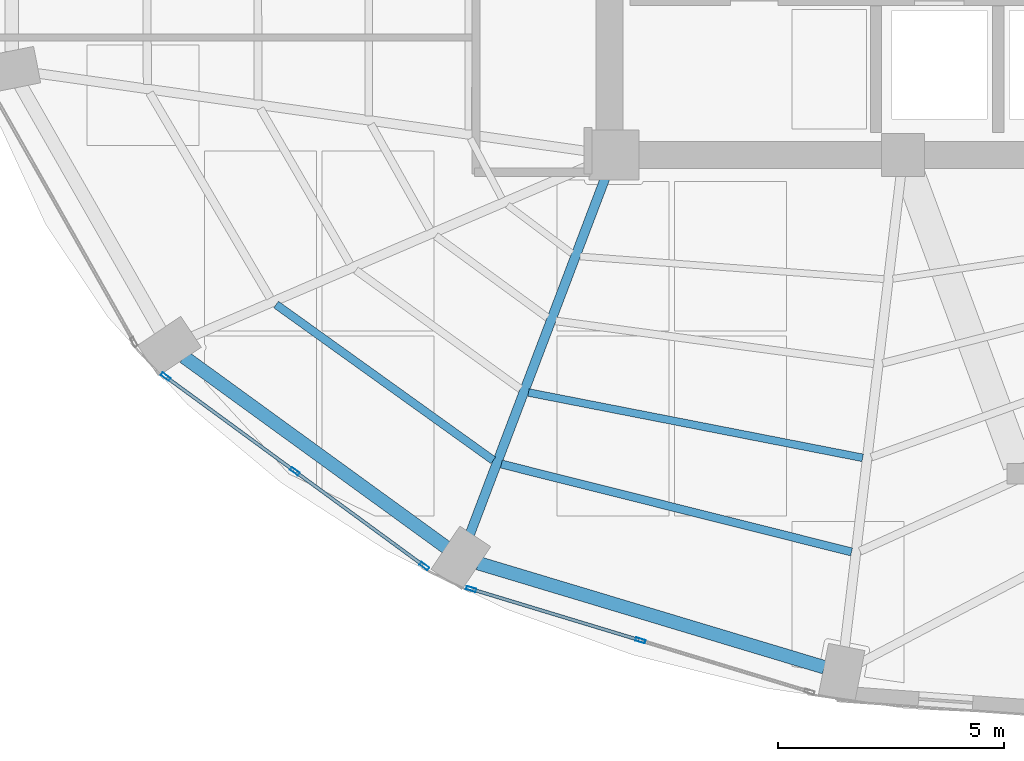
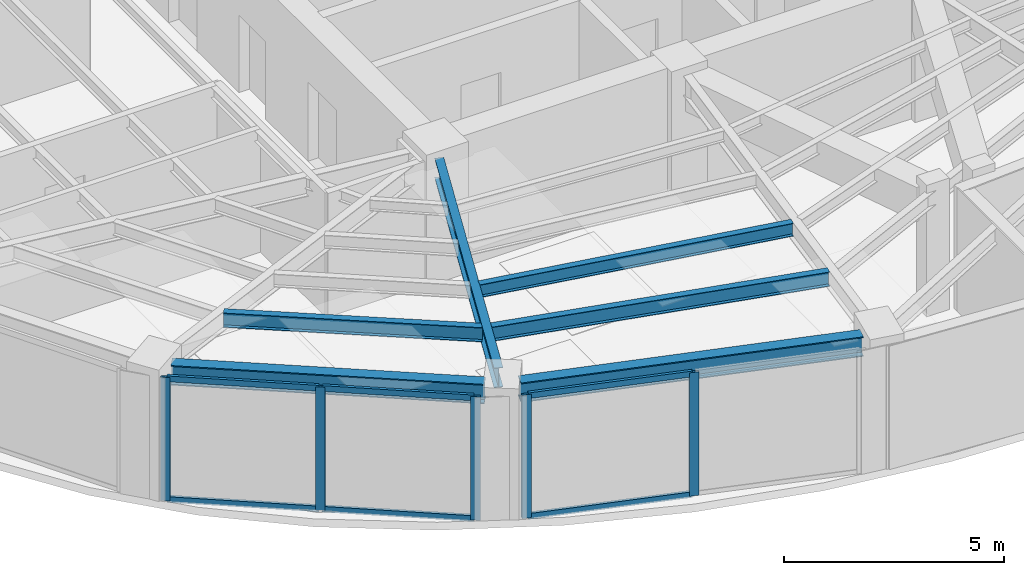
# One storey, part 2 of 19: 11 members, 6 beams, 2 elements without a shape of their own.
"""IFC4 building model written with IfcOpenShell, lengths in metres."""

from ifc_helpers import new_model, si_unit, direction, frame, origin, origin_2d, place, context, subcontext, project, spatial, hollow_rectangle, i_section, extrude, material, layer, layer_set, material_profile, profile_set, type_object, element, aggregate, save


model = new_model("IFC4")

# Units and contexts
model_context = context("Model", 3, precision=1e-05, world=origin(), true_north=direction((0.0, 1.0)))
body_context = subcontext(model_context, "Body", "Model", "MODEL_VIEW")
ifc_project = project(units=[si_unit("LENGTHUNIT", "METRE"), si_unit("AREAUNIT", "SQUARE_METRE"), si_unit("VOLUMEUNIT", "CUBIC_METRE"), si_unit("PLANEANGLEUNIT", "RADIAN"), si_unit("MASSUNIT", "GRAM", prefix="KILO")], contexts=[model_context])

# Site, building, storey
site_placement = place(None, origin())
site = spatial("IfcSite", under=ifc_project, at=site_placement, CompositionType="ELEMENT")
building_placement = place(site_placement, origin())
building = spatial("IfcBuilding", under=site, at=building_placement, Name="Lazwardi Medical Tower", CompositionType="ELEMENT")
storey_placement = place(building_placement, frame((0.0, 0.0, 171.1201171875)))
storey = spatial("IfcBuildingStorey", under=building, at=storey_placement, Name="L44", CompositionType="ELEMENT", Elevation=171.1201171875)

# Beams
ifc_material_1 = material(Name="Steel S355", Category="steel")
ifc_material_profile_1 = material_profile(ifc_material_1, i_section(OverallWidth=0.300048828125, OverallDepth=0.550048828125, WebThickness=0.014892578125, FlangeThickness=0.029052734375, at=origin_2d()), Name="HEB 550")
ifc_profile_set_1 = profile_set([ifc_material_profile_1], Name="Steel S355")
beam_type_1 = type_object("IfcBeamType", Name="BM-RB-Z3", PredefinedType="BEAM", material=ifc_profile_set_1)
beam_1_placement = place(storey_placement, frame((16.88818359375, 15.93408203125, 3.15283203125), z_axis=(0.809127570774, -0.587633026824, 0.0), x_axis=(0.587633026824, 0.809127570774, 0.0)))
element("IfcBeam", 1, at=beam_1_placement, inside=storey, type_object=beam_type_1, Name="Ring beam RB-04 B14 L44", PredefinedType="BEAM", context=body_context, shape_type="SweptSolid", body=[
    extrude(i_section(OverallWidth=0.300048828125, OverallDepth=0.550048828125, WebThickness=0.014892578125, FlangeThickness=0.029052734375, at=origin_2d()), origin(), (0.0, 0.0, 1.0), 7.170166015625),
])
beam_2_placement = place(storey_placement, frame((23.396484375, 11.37060546875, 3.15283203125), z_axis=(0.957616873483, -0.288045002771, 0.0), x_axis=(0.288045002771, 0.957616873483, 0.0)))
element("IfcBeam", 2, at=beam_2_placement, inside=storey, type_object=beam_type_1, Name="Ring beam RB-04 B15 L44", PredefinedType="BEAM", context=body_context, shape_type="SweptSolid", body=[
    extrude(i_section(OverallWidth=0.300048828125, OverallDepth=0.550048828125, WebThickness=0.014892578125, FlangeThickness=0.029052734375, at=origin_2d()), origin(), (0.0, 0.0, 1.0), 7.99951171875),
])
ifc_material_profile_2 = material_profile(ifc_material_1, i_section(OverallWidth=0.2099609375, OverallDepth=0.550048828125, WebThickness=0.010986328125, FlangeThickness=0.01708984375, at=origin_2d()), Name="IPE 550")
ifc_profile_set_2 = profile_set([ifc_material_profile_2], Name="Steel S355")
beam_type_2 = type_object("IfcBeamType", Name="BM-RG-W2", PredefinedType="BEAM", material=ifc_profile_set_2)
beam_3_placement = place(storey_placement, frame((23.21240234375, 12.00927734375, 3.15283203125), z_axis=(0.355126771712, 0.934818151307, 0.0), x_axis=(-0.934818151307, 0.355126771712, 0.0)))
element("IfcBeam", 3, at=beam_3_placement, inside=storey, type_object=beam_type_2, Name="Radial girder RG-03 R15 L44", PredefinedType="BEAM", context=body_context, shape_type="SweptSolid", body=[
    extrude(i_section(OverallWidth=0.2099609375, OverallDepth=0.550048828125, WebThickness=0.010986328125, FlangeThickness=0.01708984375, at=origin_2d()), origin(), (0.0, 0.0, 1.0), 8.44091796875),
])
ifc_material_profile_3 = material_profile(ifc_material_1, i_section(OverallWidth=0.179931640625, OverallDepth=0.39990234375, WebThickness=0.008544921875, FlangeThickness=0.013427734375, at=origin_2d()), Name="IPE 400")
ifc_profile_set_3 = profile_set([ifc_material_profile_3], Name="Steel S355")
beam_type_3 = type_object("IfcBeamType", Name="BM-SJ-01", PredefinedType="JOIST", material=ifc_profile_set_3)
beam_4_placement = place(storey_placement, frame((18.926025390625, 17.091796875, 3.227783203125), z_axis=(0.812602017757, -0.582818977675, 0.0), x_axis=(0.582818977675, 0.812602017757, 0.0)))
element("IfcBeam", 4, at=beam_4_placement, inside=storey, type_object=beam_type_3, Name="Secondary joist SJ-01 R1 B14 L44", PredefinedType="JOIST", context=body_context, shape_type="SweptSolid", body=[
    extrude(i_section(OverallWidth=0.179931640625, OverallDepth=0.39990234375, WebThickness=0.008544921875, FlangeThickness=0.013427734375, at=origin_2d()), origin(), (0.0, 0.0, 1.0), 5.91259765625),
])
beam_5_placement = place(storey_placement, frame((23.908935546875, 13.56298828125, 3.227783203125), z_axis=(0.969933596942, -0.243369713652, 0.0), x_axis=(0.243369713652, 0.969933596942, 0.0)))
element("IfcBeam", 5, at=beam_5_placement, inside=storey, type_object=beam_type_3, Name="Secondary joist SJ-01 R1 B15 L44", PredefinedType="JOIST", context=body_context, shape_type="SweptSolid", body=[
    extrude(i_section(OverallWidth=0.179931640625, OverallDepth=0.39990234375, WebThickness=0.008544921875, FlangeThickness=0.013427734375, at=origin_2d()), origin(), (0.0, 0.0, 1.0), 7.98828125),
])
ifc_material_profile_4 = material_profile(ifc_material_1, i_section(OverallWidth=0.169921875, OverallDepth=0.360107421875, WebThickness=0.008056640625, FlangeThickness=0.0126953125, at=origin_2d()), Name="IPE 360")
ifc_profile_set_4 = profile_set([ifc_material_profile_4], Name="Steel S355")
beam_type_4 = type_object("IfcBeamType", Name="BM-SJ-02", PredefinedType="JOIST", material=ifc_profile_set_4)
beam_6_placement = place(storey_placement, frame((24.509521484375, 15.146484375, 3.247802734375), z_axis=(0.98141534692, -0.191895588353, 0.0), x_axis=(0.191895588353, 0.98141534692, 0.0)))
element("IfcBeam", 6, at=beam_6_placement, inside=storey, type_object=beam_type_4, Name="Secondary joist SJ-02 R2 B15 L44", PredefinedType="JOIST", context=body_context, shape_type="SweptSolid", body=[
    extrude(i_section(OverallWidth=0.169921875, OverallDepth=0.360107421875, WebThickness=0.008056640625, FlangeThickness=0.0126953125, at=origin_2d()), origin(), (0.0, 0.0, 1.0), 7.534423828125),
])

# Curtain wall, members
ifc_material_2 = material(Name="Anodised bronze aluminium and solar control glazing", Category="aluminium")
ifc_layer = layer(ifc_material_2, 0.195068359375)
ifc_layer_set = layer_set([ifc_layer], Name="Anodised bronze aluminium and solar control glazing")
curtain_wall_type = type_object("IfcCurtainWallType", Name="CW-SYS-03", PredefinedType="NOTDEFINED", material=ifc_layer_set)
curtain_wall_1_placement = place(storey_placement, origin())
curtain_wall_1 = element("IfcCurtainWall", 7, at=curtain_wall_1_placement, inside=storey, type_object=curtain_wall_type, Name="L44 Unitised bronze curtain wall CW-03", PredefinedType="NOTDEFINED")
ifc_material_3 = material(Name="Anodised bronze aluminium", Category="aluminium")
ifc_material_profile_5 = material_profile(ifc_material_3, hollow_rectangle(XDim=0.074951171875, YDim=0.219970703125, WallThickness=0.00390625, at=origin_2d()), Name="ALU-MULLION 220x75x4")
ifc_profile_set_5 = profile_set([ifc_material_profile_5], Name="Anodised bronze aluminium")
member_type_1 = type_object("IfcMemberType", Name="CW-MUL-01", PredefinedType="MULLION", material=ifc_profile_set_5)
member_1_placement = place(storey_placement, frame((16.480224609375, 15.4970703125, 0.0), z_axis=(0.0, 0.0, 1.0), x_axis=(0.590833862635, 0.806793249082, 0.0)))
member_1 = element("IfcMember", 8, at=member_1_placement, type_object=member_type_1, Name="CW-03 mullion 1", PredefinedType="MULLION", context=body_context, shape_type="SweptSolid", body=[
    extrude(hollow_rectangle(XDim=0.074951171875, YDim=0.219970703125, WallThickness=0.00390625, at=origin_2d()), origin(), (0.0, 0.0, 1.0), 3.427978515625),
])
member_2_placement = place(storey_placement, frame((19.34228515625, 13.401123046875, 0.0), z_axis=(0.0, 0.0, 1.0), x_axis=(0.590833862635, 0.806793249082, 0.0)))
member_2 = element("IfcMember", 9, at=member_2_placement, type_object=member_type_1, Name="CW-03 mullion 2", PredefinedType="MULLION", context=body_context, shape_type="SweptSolid", body=[
    extrude(hollow_rectangle(XDim=0.074951171875, YDim=0.219970703125, WallThickness=0.00390625, at=origin_2d()), origin(), (0.0, 0.0, 1.0), 3.427978515625),
])
member_3_placement = place(storey_placement, frame((22.204345703125, 11.30517578125, 0.0), z_axis=(0.0, 0.0, 1.0), x_axis=(0.590833862635, 0.806793249082, 0.0)))
member_3 = element("IfcMember", 10, at=member_3_placement, type_object=member_type_1, Name="CW-03 mullion 3", PredefinedType="MULLION", context=body_context, shape_type="SweptSolid", body=[
    extrude(hollow_rectangle(XDim=0.074951171875, YDim=0.219970703125, WallThickness=0.00390625, at=origin_2d()), origin(), (0.0, 0.0, 1.0), 3.427978515625),
])

curtain_wall_2_placement = place(storey_placement, origin())
curtain_wall_2 = element("IfcCurtainWall", 11, at=curtain_wall_2_placement, inside=storey, type_object=curtain_wall_type, Name="L44 Unitised bronze curtain wall CW-03", PredefinedType="NOTDEFINED")
member_4_placement = place(storey_placement, frame((23.241943359375, 10.796630859375, 0.0), z_axis=(0.0, 0.0, 1.0), x_axis=(0.290280785441, 0.956941516292, 0.0)))
member_4 = element("IfcMember", 12, at=member_4_placement, type_object=member_type_1, Name="CW-03 mullion 1", PredefinedType="MULLION", context=body_context, shape_type="SweptSolid", body=[
    extrude(hollow_rectangle(XDim=0.074951171875, YDim=0.219970703125, WallThickness=0.00390625, at=origin_2d()), origin(), (0.0, 0.0, 1.0), 3.427978515625),
])
member_5_placement = place(storey_placement, frame((26.98486328125, 9.661376953125, 0.0), z_axis=(0.0, 0.0, 1.0), x_axis=(0.290280785441, 0.956941516292, 0.0)))
member_5 = element("IfcMember", 13, at=member_5_placement, type_object=member_type_1, Name="CW-03 mullion 2", PredefinedType="MULLION", context=body_context, shape_type="SweptSolid", body=[
    extrude(hollow_rectangle(XDim=0.074951171875, YDim=0.219970703125, WallThickness=0.00390625, at=origin_2d()), origin(), (0.0, 0.0, 1.0), 3.427978515625),
])

# Member
ifc_material_profile_6 = material_profile(ifc_material_3, hollow_rectangle(XDim=0.074951171875, YDim=0.159912109375, WallThickness=0.00390625, at=origin_2d()), Name="ALU-TRANSOM 160x75x4")
ifc_profile_set_6 = profile_set([ifc_material_profile_6], Name="Anodised bronze aluminium")
member_type_2 = type_object("IfcMemberType", Name="CW-TRN-01", PredefinedType="USERDEFINED", material=ifc_profile_set_6)
member_6_placement = place(storey_placement, frame((16.510498046875, 15.474853515625, 0.037353515625), z_axis=(0.806807161185, -0.590814864962, 0.0), x_axis=(0.590814864962, 0.806807161185, 0.0)))
member_6 = element("IfcMember", 14, at=member_6_placement, type_object=member_type_2, Name="CW-03 transom 1.1", ObjectType="TRANSOM", PredefinedType="USERDEFINED", context=body_context, shape_type="SweptSolid", body=[
    extrude(hollow_rectangle(XDim=0.074951171875, YDim=0.159912109375, WallThickness=0.00390625, at=origin_2d()), origin(), (0.0, 0.0, 1.0), 3.472412109375),
])

member_7_placement = place(storey_placement, frame((16.510498046875, 15.474853515625, 3.390380859375), z_axis=(0.806807161185, -0.590814864962, 0.0), x_axis=(0.590814864962, 0.806807161185, 0.0)))
member_7 = element("IfcMember", 15, at=member_7_placement, type_object=member_type_2, Name="CW-03 transom 1.2", ObjectType="TRANSOM", PredefinedType="USERDEFINED", context=body_context, shape_type="SweptSolid", body=[
    extrude(hollow_rectangle(XDim=0.074951171875, YDim=0.159912109375, WallThickness=0.00390625, at=origin_2d()), origin(), (0.0, 0.0, 1.0), 3.472412109375),
])

member_8_placement = place(storey_placement, frame((19.37255859375, 13.37890625, 0.037353515625), z_axis=(0.806807161185, -0.590814864962, 0.0), x_axis=(0.590814864962, 0.806807161185, 0.0)))
member_8 = element("IfcMember", 16, at=member_8_placement, type_object=member_type_2, Name="CW-03 transom 2.1", ObjectType="TRANSOM", PredefinedType="USERDEFINED", context=body_context, shape_type="SweptSolid", body=[
    extrude(hollow_rectangle(XDim=0.074951171875, YDim=0.159912109375, WallThickness=0.00390625, at=origin_2d()), origin(), (0.0, 0.0, 1.0), 3.472412109375),
])

member_9_placement = place(storey_placement, frame((19.37255859375, 13.37890625, 3.390380859375), z_axis=(0.806807161185, -0.590814864962, 0.0), x_axis=(0.590814864962, 0.806807161185, 0.0)))
member_9 = element("IfcMember", 17, at=member_9_placement, type_object=member_type_2, Name="CW-03 transom 2.2", ObjectType="TRANSOM", PredefinedType="USERDEFINED", context=body_context, shape_type="SweptSolid", body=[
    extrude(hollow_rectangle(XDim=0.074951171875, YDim=0.159912109375, WallThickness=0.00390625, at=origin_2d()), origin(), (0.0, 0.0, 1.0), 3.472412109375),
])

aggregate(curtain_wall_1, [member_1, member_2, member_3, member_6, member_7, member_8, member_9])

member_10_placement = place(storey_placement, frame((23.27783203125, 10.785888671875, 0.037353515625), z_axis=(0.956930154175, -0.290318239233, 0.0), x_axis=(0.290318239233, 0.956930154175, 0.0)))
member_10 = element("IfcMember", 18, at=member_10_placement, type_object=member_type_2, Name="CW-03 transom 1.1", ObjectType="TRANSOM", PredefinedType="USERDEFINED", context=body_context, shape_type="SweptSolid", body=[
    extrude(hollow_rectangle(XDim=0.074951171875, YDim=0.159912109375, WallThickness=0.00390625, at=origin_2d()), origin(), (0.0, 0.0, 1.0), 3.83642578125),
])

member_11_placement = place(storey_placement, frame((23.27783203125, 10.785888671875, 3.390380859375), z_axis=(0.956930154175, -0.290318239233, 0.0), x_axis=(0.290318239233, 0.956930154175, 0.0)))
member_11 = element("IfcMember", 19, at=member_11_placement, type_object=member_type_2, Name="CW-03 transom 1.2", ObjectType="TRANSOM", PredefinedType="USERDEFINED", context=body_context, shape_type="SweptSolid", body=[
    extrude(hollow_rectangle(XDim=0.074951171875, YDim=0.159912109375, WallThickness=0.00390625, at=origin_2d()), origin(), (0.0, 0.0, 1.0), 3.83642578125),
])

aggregate(curtain_wall_2, [member_4, member_5, member_10, member_11])

save(model, "model.ifc")
